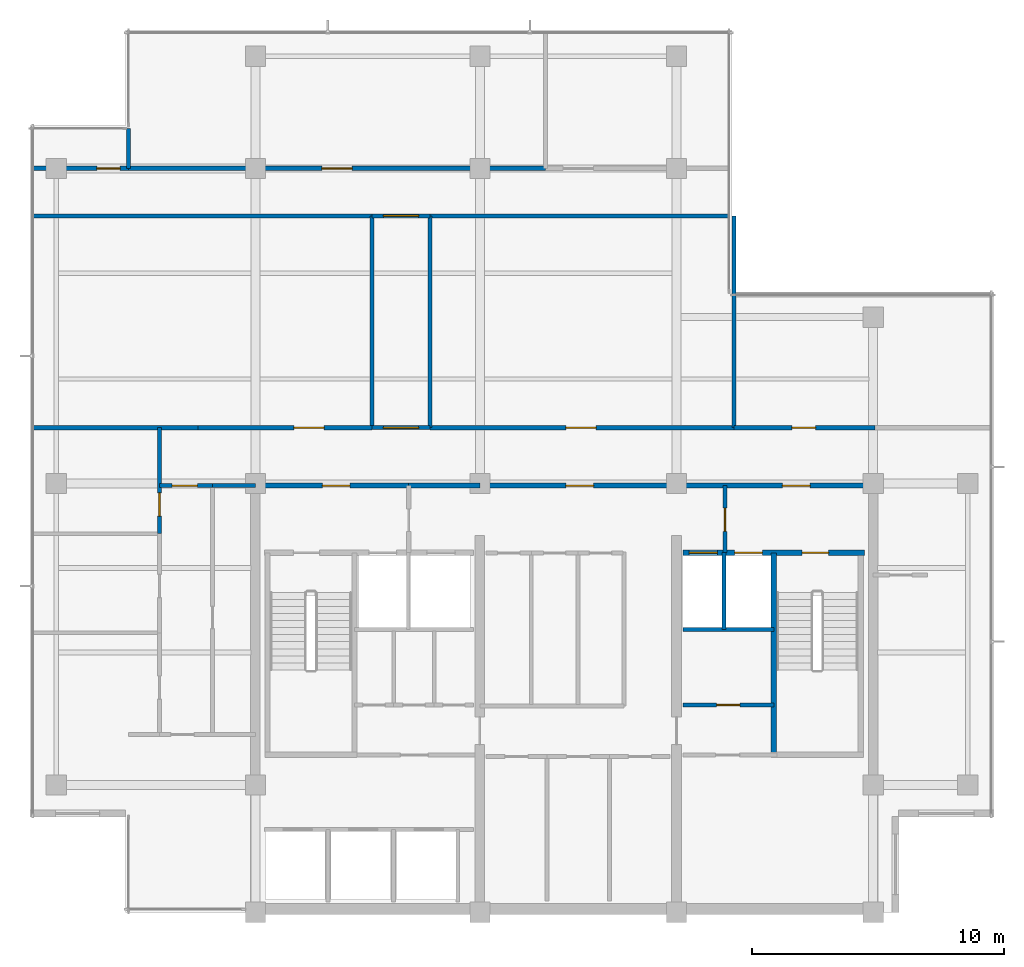
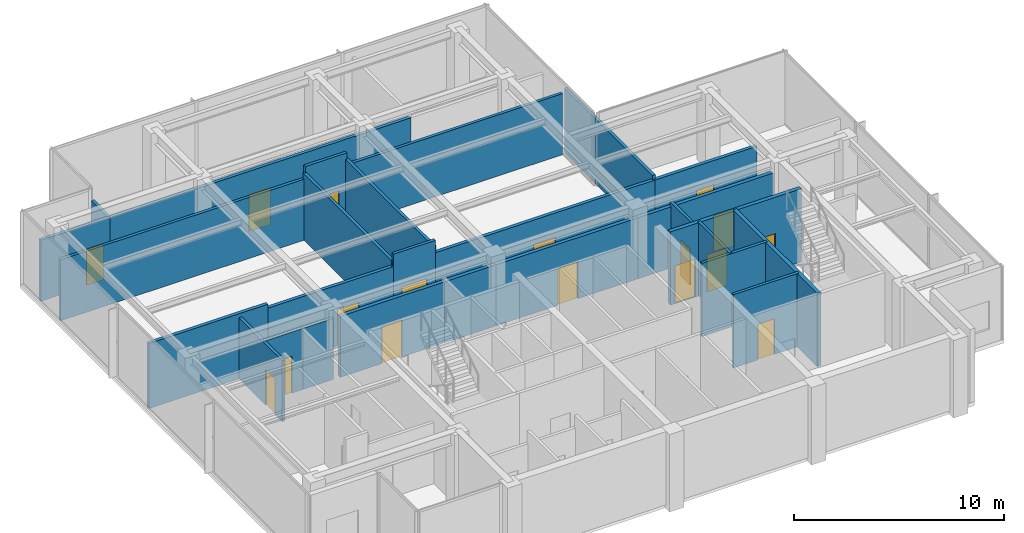
# One storey, part 7 of 11: 27 walls, 17 doors, 17 openings.
"""IFC4 building model written with IfcOpenShell, lengths in metres."""

from ifc_helpers import new_model, si_unit, direction, frame, frame_2d, origin, place, context, subcontext, project, spatial, rectangle, extrude, material, layer, layer_set, type_object, element, fill, save


model = new_model("IFC4")

# Units and contexts
model_context = context("Model", 3, precision=1e-05, world=origin(), true_north=direction((0.0, 1.0)))
body_context = subcontext(model_context, "Body", "Model", "MODEL_VIEW")
ifc_project = project(units=[si_unit("LENGTHUNIT", "METRE"), si_unit("AREAUNIT", "SQUARE_METRE"), si_unit("VOLUMEUNIT", "CUBIC_METRE"), si_unit("PLANEANGLEUNIT", "RADIAN"), si_unit("MASSUNIT", "GRAM", prefix="KILO")], contexts=[model_context])

# Site, building, storey
site_placement = place(None, origin())
site = spatial("IfcSite", under=ifc_project, at=site_placement, CompositionType="ELEMENT")
building_placement = place(site_placement, origin())
building = spatial("IfcBuilding", under=site, at=building_placement, Name="Qalmaran Belvedere Hotel", CompositionType="ELEMENT")
storey_placement = place(building_placement, frame((0.0, 0.0, 285.39990234375)))
storey = spatial("IfcBuildingStorey", under=building, at=storey_placement, Name="L74", CompositionType="ELEMENT", Elevation=285.39990234375)

# Wall
ifc_material_1 = material(Name="Gypsum Stud Partition")
ifc_layer_1 = layer(ifc_material_1, 0.14990234375, Name="Gypsum Stud Partition")
ifc_layer_set_1 = layer_set([ifc_layer_1], Name="Gypsum Stud Partition")
wall_type_1 = type_object("IfcWallType", Name="WL-INT-150-EI120", PredefinedType="PARTITIONING", material=ifc_layer_set_1)
wall_1_placement = place(storey_placement, frame((38.8798828125, 14.719970703125, 0.0), z_axis=(0.0, 0.0, 1.0), x_axis=(0.0, 1.0, 0.0)))
element("IfcWall", 1, at=wall_1_placement, inside=storey, type_object=wall_type_1, Name="L74 Partition WL-FF2M-L74", PredefinedType="PARTITIONING", context=body_context, shape_type="SweptSolid", body=[
    extrude(rectangle(XDim=3.0400390625, YDim=0.14990234375, at=frame_2d((1.52001953125, 0.0))), origin(), (0.0, 0.0, 1.0), 4.260009765625),
])

# Wall, opening, door
ifc_layer_2 = layer(ifc_material_1, 0.159912109375, Name="Gypsum Stud Partition")
ifc_layer_set_2 = layer_set([ifc_layer_2], Name="Gypsum Stud Partition")
wall_type_2 = type_object("IfcWallType", Name="WL-INT-160-EI120", PredefinedType="PARTITIONING", material=ifc_layer_set_2)
wall_2_placement = place(storey_placement, frame((38.919921875, 17.760009765625, 0.0), z_axis=(0.0, 0.0, 1.0), x_axis=(0.0, 1.0, 0.0)))
wall_2 = element("IfcWall", 2, at=wall_2_placement, inside=storey, type_object=wall_type_2, Name="L74 Partition WL-FFSV2-L74", PredefinedType="PARTITIONING", context=body_context, shape_type="SweptSolid", body=[
    extrude(rectangle(XDim=2.659912109375, YDim=0.159912109375, at=frame_2d((1.330078125, 0.0))), origin(), (0.0, 0.0, 1.0), 3.781982421875),
])
opening_1_placement = place(wall_2_placement, frame((1.77001953125, 0.0, 0.0), z_axis=(0.0, 0.0, 1.0), x_axis=(-1.0, 0.0, 0.0)))
opening_1 = element("IfcOpeningElement", 3, at=opening_1_placement, cuts=wall_2, Name="Opening FD60S1", PredefinedType="OPENING", context=body_context, shape_type="SweptSolid", body=[
    extrude(rectangle(XDim=0.919921875, YDim=2.080078125, at=frame_2d((0.4599609375, 1.0400390625))), frame((0.0, 0.08984375, 0.0), z_axis=(0.0, -1.0, 0.0), x_axis=(1.0, 0.0, 0.0)), (0.0, 0.0, 1.0), 0.179931640625),
])
ifc_material_2 = material(Name="Engineered Oak Veneer")
door_type_1 = type_object("IfcDoorType", Name="DR-FD60S-920X2080", OperationType="NOTDEFINED", PredefinedType="DOOR", material=ifc_material_2)
door_1_placement = place(opening_1_placement, origin())
door_1 = element("IfcDoor", 4, at=door_1_placement, inside=storey, type_object=door_type_1, Name="L74 Service Lobby East Door", OperationType="SINGLE_SWING_LEFT", OverallHeight=2.080078125, OverallWidth=0.919921875, PredefinedType="DOOR", context=body_context, shape_type="SweptSolid", body=[
    extrude(rectangle(XDim=0.919921875, YDim=2.080078125, at=frame_2d((0.4599609375, 1.0400390625))), frame((0.0, 0.02490234375, 0.0), z_axis=(0.0, -1.0, 0.0), x_axis=(1.0, 0.0, 0.0)), (0.0, 0.0, 1.0), 0.050048828125),
])
fill(opening_1, door_1)

# Wall
wall_3_placement = place(storey_placement, frame((37.25, 14.719970703125, 0.0), z_axis=(0.0, 0.0, 1.0), x_axis=(1.0, 0.0, 0.0)))
element("IfcWall", 5, at=wall_3_placement, inside=storey, type_object=wall_type_2, Name="L74 Partition WL-FF2S-L74", PredefinedType="PARTITIONING", context=body_context, shape_type="SweptSolid", body=[
    extrude(rectangle(XDim=3.610107421875, YDim=0.159912109375, at=frame_2d((1.80517578125, 0.0))), origin(), (0.0, 0.0, 1.0), 4.260009765625),
])

# Wall, opening, door
ifc_layer_3 = layer(ifc_material_1, 0.159912109375, Name="Gypsum Stud Partition")
ifc_layer_set_3 = layer_set([ifc_layer_3], Name="Gypsum Stud Partition")
wall_type_3 = type_object("IfcWallType", Name="WL-INT-160-EI60", PredefinedType="PARTITIONING", material=ifc_layer_set_3)
wall_4_placement = place(storey_placement, frame((37.25, 11.719970703125, 0.0), z_axis=(0.0, 0.0, 1.0), x_axis=(1.0, 0.0, 0.0)))
wall_4 = element("IfcWall", 6, at=wall_4_placement, inside=storey, type_object=wall_type_3, Name="L74 Partition WL-L74-KEE1", PredefinedType="PARTITIONING", context=body_context, shape_type="SweptSolid", body=[
    extrude(rectangle(XDim=3.610107421875, YDim=0.159912109375, at=frame_2d((1.80517578125, 0.0))), origin(), (0.0, 0.0, 1.0), 4.260009765625),
])
opening_2_placement = place(wall_4_placement, frame((1.344970703125, 0.0, 0.0)))
opening_2 = element("IfcOpeningElement", 7, at=opening_2_placement, cuts=wall_4, Name="Opening FD60S1", PredefinedType="OPENING", context=body_context, shape_type="SweptSolid", body=[
    extrude(rectangle(XDim=0.919921875, YDim=2.080078125, at=frame_2d((0.4599609375, 1.0400390625))), frame((0.0, 0.08984375, 0.0), z_axis=(0.0, -1.0, 0.0), x_axis=(1.0, 0.0, 0.0)), (0.0, 0.0, 1.0), 0.179931640625),
])
door_2_placement = place(opening_2_placement, origin())
door_2 = element("IfcDoor", 8, at=door_2_placement, inside=storey, type_object=door_type_1, Name="L74 Guest Ice and Beverage Pantry Door", OperationType="SINGLE_SWING_RIGHT", OverallHeight=2.080078125, OverallWidth=0.919921875, PredefinedType="DOOR", context=body_context, shape_type="SweptSolid", body=[
    extrude(rectangle(XDim=0.919921875, YDim=2.080078125, at=frame_2d((0.4599609375, 1.0400390625))), frame((0.0, 0.02490234375, 0.0), z_axis=(0.0, -1.0, 0.0), x_axis=(1.0, 0.0, 0.0)), (0.0, 0.0, 1.0), 0.050048828125),
])
fill(opening_2, door_2)

wall_5_placement = place(storey_placement, frame((16.5, 18.52001953125, 0.0), z_axis=(0.0, 0.0, 1.0), x_axis=(0.0, 1.0, 0.0)))
wall_5 = element("IfcWall", 9, at=wall_5_placement, inside=storey, type_object=wall_type_3, Name="L74 Partition WL-L74-WCC3", PredefinedType="PARTITIONING", context=body_context, shape_type="SweptSolid", body=[
    extrude(rectangle(XDim=4.199951171875, YDim=0.159912109375, at=frame_2d((2.10009765625, 0.0))), origin(), (0.0, 0.0, 1.0), 3.550048828125),
])
opening_3_placement = place(wall_5_placement, frame((0.693359375, 0.0, 0.0)))
opening_3 = element("IfcOpeningElement", 10, at=opening_3_placement, cuts=wall_5, Name="Opening FD60S1", PredefinedType="OPENING", context=body_context, shape_type="SweptSolid", body=[
    extrude(rectangle(XDim=0.919921875, YDim=2.080078125, at=frame_2d((0.4599609375, 1.0400390625))), frame((0.0, 0.08984375, 0.0), z_axis=(0.0, -1.0, 0.0), x_axis=(1.0, 0.0, 0.0)), (0.0, 0.0, 1.0), 0.179931640625),
])
door_3_placement = place(opening_3_placement, origin())
door_3 = element("IfcDoor", 11, at=door_3_placement, inside=storey, type_object=door_type_1, Name="L74 Accessible WC Door", OperationType="SINGLE_SWING_RIGHT", OverallHeight=2.080078125, OverallWidth=0.919921875, PredefinedType="DOOR", context=body_context, shape_type="SweptSolid", body=[
    extrude(rectangle(XDim=0.919921875, YDim=2.080078125, at=frame_2d((0.4599609375, 1.0400390625))), frame((0.0, 0.02490234375, 0.0), z_axis=(0.0, -1.0, 0.0), x_axis=(1.0, 0.0, 0.0)), (0.0, 0.0, 1.0), 0.050048828125),
])
fill(opening_3, door_3)

# Wall
wall_6_placement = place(storey_placement, frame((18.60009765625, 20.419921875, 0.0), z_axis=(0.0, 0.0, 1.0), x_axis=(1.0, 0.0, 0.0)))
element("IfcWall", 12, at=wall_6_placement, inside=storey, type_object=wall_type_3, Name="L74 Partition WL-L74-WCCEN", PredefinedType="PARTITIONING", context=body_context, shape_type="SweptSolid", body=[
    extrude(rectangle(XDim=1.699951171875, YDim=0.159912109375, at=frame_2d((0.85009765625, 0.0))), origin(), (0.0, 0.0, 1.0), 3.550048828125),
])

# Wall, opening, door
wall_7_placement = place(storey_placement, frame((16.5, 20.419921875, 0.0), z_axis=(0.0, 0.0, 1.0), x_axis=(1.0, 0.0, 0.0)))
wall_7 = element("IfcWall", 13, at=wall_7_placement, inside=storey, type_object=wall_type_3, Name="L74 Partition WL-L74-XCRW", PredefinedType="PARTITIONING", context=body_context, shape_type="SweptSolid", body=[
    extrude(rectangle(XDim=2.10009765625, YDim=0.159912109375, at=frame_2d((1.050048828125, 0.0))), origin(), (0.0, 0.0, 1.0), 3.550048828125),
])
opening_4_placement = place(wall_7_placement, frame((0.5, 0.0, 0.0)))
opening_4 = element("IfcOpeningElement", 14, at=opening_4_placement, cuts=wall_7, Name="Opening FD90B", PredefinedType="OPENING", context=body_context, shape_type="SweptSolid", body=[
    extrude(rectangle(XDim=1.0, YDim=2.14990234375, at=frame_2d((0.5, 1.074951171875))), frame((0.0, 0.08984375, 0.0), z_axis=(0.0, -1.0, 0.0), x_axis=(1.0, 0.0, 0.0)), (0.0, 0.0, 1.0), 0.179931640625),
])
ifc_material_3 = material(Name="Steel S355JR", Category="steel")
door_type_2 = type_object("IfcDoorType", Name="DR-FD90B-1000X2150", OperationType="NOTDEFINED", PredefinedType="DOOR", material=ifc_material_3)
door_4_placement = place(opening_4_placement, origin())
door_4 = element("IfcDoor", 15, at=door_4_placement, inside=storey, type_object=door_type_2, Name="L74 Restroom Corridor Door", OperationType="SINGLE_SWING_RIGHT", OverallHeight=2.14990234375, OverallWidth=1.0, PredefinedType="DOOR", context=body_context, shape_type="SweptSolid", body=[
    extrude(rectangle(XDim=1.0, YDim=2.14990234375, at=frame_2d((0.5, 1.074951171875))), frame((0.0, 0.02490234375, 0.0), z_axis=(0.0, -1.0, 0.0), x_axis=(1.0, 0.0, 0.0)), (0.0, 0.0, 1.0), 0.050048828125),
])
fill(opening_4, door_4)

# Walls
wall_8_placement = place(storey_placement, frame((15.27001953125, 33.0, 0.0), z_axis=(0.0, 0.0, 1.0), x_axis=(0.0, 1.0, 0.0)))
element("IfcWall", 16, at=wall_8_placement, inside=storey, type_object=wall_type_3, Name="L74 Partition WL-L74-VNWE", PredefinedType="PARTITIONING", context=body_context, shape_type="SweptSolid", body=[
    extrude(rectangle(XDim=1.580078125, YDim=0.159912109375, at=frame_2d((0.7900390625, 0.0))), origin(), (0.0, 0.0, 1.0), 3.550048828125),
])
for number, where, z_axis, x_axis, name in (
    (17, (24.919921875, 22.719970703125, 0.0), (0.0, 0.0, 1.0), (0.0, 1.0, 0.0), "L74 Partition WL-L74-NPW"),
    (18, (27.219970703125, 22.719970703125, 0.0), (0.0, 0.0, 1.0), (0.0, 1.0, 0.0), "L74 Partition WL-L74-NPE"),
):
    element("IfcWall", number, at=place(storey_placement, frame(where, z_axis=z_axis, x_axis=x_axis)), inside=storey, type_object=wall_type_3, Name=name, PredefinedType="PARTITIONING", context=body_context, shape_type="SweptSolid", body=[
        extrude(rectangle(XDim=8.400146484375, YDim=0.159912109375, at=frame_2d((4.2001953125, 0.0))), origin(), (0.0, 0.0, 1.0), 3.88720703125),
    ])

# Wall, opening, door
wall_9_placement = place(storey_placement, frame((24.919921875, 22.719970703125, 0.0), z_axis=(0.0, 0.0, 1.0), x_axis=(1.0, 0.0, 0.0)))
wall_9 = element("IfcWall", 19, at=wall_9_placement, inside=storey, type_object=wall_type_3, Name="L74 Partition WL-L74-XNPS", PredefinedType="PARTITIONING", context=body_context, shape_type="SweptSolid", body=[
    extrude(rectangle(XDim=2.300048828125, YDim=0.159912109375, at=frame_2d((1.14990234375, 0.0))), origin(), (0.0, 0.0, 1.0), 4.260009765625),
])
opening_5_placement = place(wall_9_placement, frame((0.449951171875, 0.0, 0.0)))
opening_5 = element("IfcOpeningElement", 20, at=opening_5_placement, cuts=wall_9, Name="Opening FD90D", PredefinedType="OPENING", context=body_context, shape_type="SweptSolid", body=[
    extrude(rectangle(XDim=1.39990234375, YDim=2.199951171875, at=frame_2d((0.699951171875, 1.10009765625))), frame((0.0, 0.08984375, 0.0), z_axis=(0.0, -1.0, 0.0), x_axis=(1.0, 0.0, 0.0)), (0.0, 0.0, 1.0), 0.179931640625),
])
door_type_3 = type_object("IfcDoorType", Name="DR-FD90D-1400X2200", OperationType="NOTDEFINED", PredefinedType="DOOR", material=ifc_material_3)
door_5_placement = place(opening_5_placement, origin())
door_5 = element("IfcDoor", 21, at=door_5_placement, inside=storey, type_object=door_type_3, Name="L74 Promenade South Door", OperationType="DOUBLE_DOOR_SINGLE_SWING", OverallHeight=2.199951171875, OverallWidth=1.39990234375, PredefinedType="DOOR", context=body_context, shape_type="SweptSolid", body=[
    extrude(rectangle(XDim=1.39990234375, YDim=2.199951171875, at=frame_2d((0.699951171875, 1.10009765625))), frame((0.0, 0.02490234375, 0.0), z_axis=(0.0, -1.0, 0.0), x_axis=(1.0, 0.0, 0.0)), (0.0, 0.0, 1.0), 0.050048828125),
])
fill(opening_5, door_5)

wall_10_placement = place(storey_placement, frame((24.919921875, 31.1201171875, 0.0), z_axis=(0.0, 0.0, 1.0), x_axis=(1.0, 0.0, 0.0)))
wall_10 = element("IfcWall", 22, at=wall_10_placement, inside=storey, type_object=wall_type_3, Name="L74 Partition WL-L74-XNPN", PredefinedType="PARTITIONING", context=body_context, shape_type="SweptSolid", body=[
    extrude(rectangle(XDim=2.300048828125, YDim=0.159912109375, at=frame_2d((1.14990234375, 0.0))), origin(), (0.0, 0.0, 1.0), 4.260009765625),
])
opening_6_placement = place(wall_10_placement, frame((0.449951171875, 0.0, 0.0)))
opening_6 = element("IfcOpeningElement", 23, at=opening_6_placement, cuts=wall_10, Name="Opening FD90D", PredefinedType="OPENING", context=body_context, shape_type="SweptSolid", body=[
    extrude(rectangle(XDim=1.39990234375, YDim=2.199951171875, at=frame_2d((0.699951171875, 1.10009765625))), frame((0.0, 0.08984375, 0.0), z_axis=(0.0, -1.0, 0.0), x_axis=(1.0, 0.0, 0.0)), (0.0, 0.0, 1.0), 0.179931640625),
])
door_6_placement = place(opening_6_placement, origin())
door_6 = element("IfcDoor", 24, at=door_6_placement, inside=storey, type_object=door_type_3, Name="L74 Promenade North Door", OperationType="DOUBLE_DOOR_SINGLE_SWING", OverallHeight=2.199951171875, OverallWidth=1.39990234375, PredefinedType="DOOR", context=body_context, shape_type="SweptSolid", body=[
    extrude(rectangle(XDim=1.39990234375, YDim=2.199951171875, at=frame_2d((0.699951171875, 1.10009765625))), frame((0.0, 0.02490234375, 0.0), z_axis=(0.0, -1.0, 0.0), x_axis=(1.0, 0.0, 0.0)), (0.0, 0.0, 1.0), 0.050048828125),
])
fill(opening_6, door_6)

# Walls
wall_11_placement = place(storey_placement, frame((11.469970703125, 31.1201171875, 0.0), z_axis=(0.0, 0.0, 1.0), x_axis=(1.0, 0.0, 0.0)))
element("IfcWall", 25, at=wall_11_placement, inside=storey, type_object=wall_type_3, Name="L74 Partition WL-L74-NGS1", PredefinedType="PARTITIONING", context=body_context, shape_type="SweptSolid", body=[
    extrude(rectangle(XDim=13.449951171875, YDim=0.159912109375, at=frame_2d((6.72509765625, 0.0))), origin(), (0.0, 0.0, 1.0), 3.550048828125),
])
wall_12_placement = place(storey_placement, frame((27.219970703125, 31.1201171875, 0.0), z_axis=(0.0, 0.0, 1.0), x_axis=(1.0, 0.0, 0.0)))
element("IfcWall", 26, at=wall_12_placement, inside=storey, type_object=wall_type_3, Name="L74 Partition WL-L74-NGS2", PredefinedType="PARTITIONING", context=body_context, shape_type="SweptSolid", body=[
    extrude(rectangle(XDim=11.860107421875, YDim=0.159912109375, at=frame_2d((5.93017578125, 0.0))), origin(), (0.0, 0.0, 1.0), 3.550048828125),
])
wall_13_placement = place(storey_placement, frame((39.280029296875, 22.719970703125, 0.0), z_axis=(0.0, 0.0, 1.0), x_axis=(0.0, 1.0, 0.0)))
element("IfcWall", 27, at=wall_13_placement, inside=storey, type_object=wall_type_3, Name="L74 Partition WL-L74-MCV", PredefinedType="PARTITIONING", context=body_context, shape_type="SweptSolid", body=[
    extrude(rectangle(XDim=8.400146484375, YDim=0.159912109375, at=frame_2d((4.2001953125, 0.0))), origin(), (0.0, 0.0, 1.0), 3.781982421875),
])
ifc_layer_4 = layer(ifc_material_1, 0.179931640625, Name="Gypsum Stud Partition")
ifc_layer_set_4 = layer_set([ifc_layer_4], Name="Gypsum Stud Partition")
wall_type_4 = type_object("IfcWallType", Name="WL-INT-180-EI60", PredefinedType="PARTITIONING", material=ifc_layer_set_4)
wall_14_placement = place(storey_placement, frame((11.469970703125, 22.719970703125, 0.0), z_axis=(0.0, 0.0, 1.0), x_axis=(1.0, 0.0, 0.0)))
element("IfcWall", 28, at=wall_14_placement, inside=storey, type_object=wall_type_4, Name="L74 Partition WL-L74-WCN", PredefinedType="PARTITIONING", context=body_context, shape_type="SweptSolid", body=[
    extrude(rectangle(XDim=6.550048828125, YDim=0.179931640625, at=frame_2d((3.27490234375, 0.0))), origin(), (0.0, 0.0, 1.0), 3.781982421875),
])

# Wall, opening, door
wall_15_placement = place(storey_placement, frame((11.469970703125, 33.0, 0.0), z_axis=(0.0, 0.0, 1.0), x_axis=(1.0, 0.0, 0.0)))
wall_15 = element("IfcWall", 29, at=wall_15_placement, inside=storey, type_object=wall_type_4, Name="L74 Partition WL-L74-VNWS", PredefinedType="PARTITIONING", context=body_context, shape_type="SweptSolid", body=[
    extrude(rectangle(XDim=3.800048828125, YDim=0.179931640625, at=frame_2d((1.89990234375, 0.0))), origin(), (0.0, 0.0, 1.0), 3.550048828125),
])
opening_7_placement = place(wall_15_placement, frame((2.543701171875, 0.0, 0.0)))
opening_7 = element("IfcOpeningElement", 30, at=opening_7_placement, cuts=wall_15, Name="Opening FD60S1", PredefinedType="OPENING", context=body_context, shape_type="SweptSolid", body=[
    extrude(rectangle(XDim=0.919921875, YDim=2.080078125, at=frame_2d((0.4599609375, 1.0400390625))), frame((0.0, 0.10009765625, 0.0), z_axis=(0.0, -1.0, 0.0), x_axis=(1.0, 0.0, 0.0)), (0.0, 0.0, 1.0), 0.199951171875),
])
door_7_placement = place(opening_7_placement, origin())
door_7 = element("IfcDoor", 31, at=door_7_placement, inside=storey, type_object=door_type_1, Name="L74 NW Sky Salon Door", OperationType="SINGLE_SWING_RIGHT", OverallHeight=2.080078125, OverallWidth=0.919921875, PredefinedType="DOOR", context=body_context, shape_type="SweptSolid", body=[
    extrude(rectangle(XDim=0.919921875, YDim=2.080078125, at=frame_2d((0.4599609375, 1.0400390625))), frame((0.0, 0.02490234375, 0.0), z_axis=(0.0, -1.0, 0.0), x_axis=(1.0, 0.0, 0.0)), (0.0, 0.0, 1.0), 0.050048828125),
])
fill(opening_7, door_7)

wall_16_placement = place(storey_placement, frame((18.02001953125, 22.719970703125, 0.0), z_axis=(0.0, 0.0, 1.0), x_axis=(1.0, 0.0, 0.0)))
wall_16 = element("IfcWall", 32, at=wall_16_placement, inside=storey, type_object=wall_type_4, Name="L74 Partition WL-L74-MCS1", PredefinedType="PARTITIONING", context=body_context, shape_type="SweptSolid", body=[
    extrude(rectangle(XDim=6.89990234375, YDim=0.179931640625, at=frame_2d((3.449951171875, 0.0))), origin(), (0.0, 0.0, 1.0), 3.550048828125),
])
opening_8_placement = place(wall_16_placement, frame((3.800048828125, 0.0, 0.0)))
opening_8 = element("IfcOpeningElement", 33, at=opening_8_placement, cuts=wall_16, Name="Opening FD60P", PredefinedType="OPENING", context=body_context, shape_type="SweptSolid", body=[
    extrude(rectangle(XDim=1.199951171875, YDim=2.139892578125, at=frame_2d((0.60009765625, 1.06982421875))), frame((0.0, 0.10009765625, 0.0), z_axis=(0.0, -1.0, 0.0), x_axis=(1.0, 0.0, 0.0)), (0.0, 0.0, 1.0), 0.199951171875),
])
door_type_4 = type_object("IfcDoorType", Name="DR-FD60P-1200X2140", OperationType="NOTDEFINED", PredefinedType="DOOR", material=ifc_material_2)
door_8_placement = place(opening_8_placement, origin())
door_8 = element("IfcDoor", 34, at=door_8_placement, inside=storey, type_object=door_type_4, Name="L74 Sky Cocktail Lounge Bar Door", OperationType="DOUBLE_DOOR_SINGLE_SWING", OverallHeight=2.139892578125, OverallWidth=1.199951171875, PredefinedType="DOOR", context=body_context, shape_type="SweptSolid", body=[
    extrude(rectangle(XDim=1.199951171875, YDim=2.139892578125, at=frame_2d((0.60009765625, 1.06982421875))), frame((0.0, 0.02490234375, 0.0), z_axis=(0.0, -1.0, 0.0), x_axis=(1.0, 0.0, 0.0)), (0.0, 0.0, 1.0), 0.050048828125),
])
fill(opening_8, door_8)

wall_17_placement = place(storey_placement, frame((27.219970703125, 22.719970703125, 0.0), z_axis=(0.0, 0.0, 1.0), x_axis=(1.0, 0.0, 0.0)))
wall_17 = element("IfcWall", 35, at=wall_17_placement, inside=storey, type_object=wall_type_4, Name="L74 Partition WL-L74-MCS2A", PredefinedType="PARTITIONING", context=body_context, shape_type="SweptSolid", body=[
    extrude(rectangle(XDim=12.06005859375, YDim=0.179931640625, at=frame_2d((6.030029296875, 0.0))), origin(), (0.0, 0.0, 1.0), 3.550048828125),
])
opening_9_placement = place(wall_17_placement, frame((5.389892578125, 0.0, 0.0)))
opening_9 = element("IfcOpeningElement", 36, at=opening_9_placement, cuts=wall_17, Name="Opening FD60P", PredefinedType="OPENING", context=body_context, shape_type="SweptSolid", body=[
    extrude(rectangle(XDim=1.199951171875, YDim=2.139892578125, at=frame_2d((0.60009765625, 1.06982421875))), frame((0.0, 0.10009765625, 0.0), z_axis=(0.0, -1.0, 0.0), x_axis=(1.0, 0.0, 0.0)), (0.0, 0.0, 1.0), 0.199951171875),
])
door_9_placement = place(opening_9_placement, origin())
door_9 = element("IfcDoor", 37, at=door_9_placement, inside=storey, type_object=door_type_4, Name="L74 Chef Private Dining Hall Door", OperationType="DOUBLE_DOOR_SINGLE_SWING", OverallHeight=2.139892578125, OverallWidth=1.199951171875, PredefinedType="DOOR", context=body_context, shape_type="SweptSolid", body=[
    extrude(rectangle(XDim=1.199951171875, YDim=2.139892578125, at=frame_2d((0.60009765625, 1.06982421875))), frame((0.0, 0.02490234375, 0.0), z_axis=(0.0, -1.0, 0.0), x_axis=(1.0, 0.0, 0.0)), (0.0, 0.0, 1.0), 0.050048828125),
])
fill(opening_9, door_9)

wall_18_placement = place(storey_placement, frame((39.280029296875, 22.719970703125, 0.0), z_axis=(0.0, 0.0, 1.0), x_axis=(1.0, 0.0, 0.0)))
wall_18 = element("IfcWall", 38, at=wall_18_placement, inside=storey, type_object=wall_type_4, Name="L74 Partition WL-L74-MCS2B", PredefinedType="PARTITIONING", context=body_context, shape_type="SweptSolid", body=[
    extrude(rectangle(XDim=5.599853515625, YDim=0.179931640625, at=frame_2d((2.7998046875, 0.0))), origin(), (0.0, 0.0, 1.0), 3.550048828125),
])
opening_10_placement = place(wall_18_placement, frame((2.2900390625, 0.0, 0.0)))
opening_10 = element("IfcOpeningElement", 39, at=opening_10_placement, cuts=wall_18, Name="Opening FD60", PredefinedType="OPENING", context=body_context, shape_type="SweptSolid", body=[
    extrude(rectangle(XDim=0.949951171875, YDim=2.14990234375, at=frame_2d((0.47509765625, 1.074951171875))), frame((0.0, 0.10009765625, 0.0), z_axis=(0.0, -1.0, 0.0), x_axis=(1.0, 0.0, 0.0)), (0.0, 0.0, 1.0), 0.199951171875),
])
door_type_5 = type_object("IfcDoorType", Name="DR-FD60-950X2150", OperationType="NOTDEFINED", PredefinedType="DOOR", material=ifc_material_2)
door_10_placement = place(opening_10_placement, origin())
door_10 = element("IfcDoor", 40, at=door_10_placement, inside=storey, type_object=door_type_5, Name="L74 East Lounge Door", OperationType="SINGLE_SWING_LEFT", OverallHeight=2.14990234375, OverallWidth=0.949951171875, PredefinedType="DOOR", context=body_context, shape_type="SweptSolid", body=[
    extrude(rectangle(XDim=0.949951171875, YDim=2.14990234375, at=frame_2d((0.47509765625, 1.074951171875))), frame((0.0, 0.02490234375, 0.0), z_axis=(0.0, -1.0, 0.0), x_axis=(1.0, 0.0, 0.0)), (0.0, 0.0, 1.0), 0.050048828125),
])
fill(opening_10, door_10)

wall_19_placement = place(storey_placement, frame((15.27001953125, 33.0, 0.0), z_axis=(0.0, 0.0, 1.0), x_axis=(1.0, 0.0, 0.0)))
wall_19 = element("IfcWall", 41, at=wall_19_placement, inside=storey, type_object=wall_type_4, Name="L74 Partition WL-L74-NF33D1", PredefinedType="PARTITIONING", context=body_context, shape_type="SweptSolid", body=[
    extrude(rectangle(XDim=16.530029296875, YDim=0.179931640625, at=frame_2d((8.26513671875, 0.0))), origin(), (0.0, 0.0, 1.0), 3.550048828125),
])
opening_11_placement = place(wall_19_placement, frame((7.6650390625, 0.0, 0.0)))
opening_11 = element("IfcOpeningElement", 42, at=opening_11_placement, cuts=wall_19, Name="Opening FD60P", PredefinedType="OPENING", context=body_context, shape_type="SweptSolid", body=[
    extrude(rectangle(XDim=1.199951171875, YDim=2.139892578125, at=frame_2d((0.60009765625, 1.06982421875))), frame((0.0, 0.10009765625, 0.0), z_axis=(0.0, -1.0, 0.0), x_axis=(1.0, 0.0, 0.0)), (0.0, 0.0, 1.0), 0.199951171875),
])
door_11_placement = place(opening_11_placement, origin())
door_11 = element("IfcDoor", 43, at=door_11_placement, inside=storey, type_object=door_type_4, Name="L74 Belvedere Sky Restaurant Door", OperationType="DOUBLE_DOOR_SINGLE_SWING", OverallHeight=2.139892578125, OverallWidth=1.199951171875, PredefinedType="DOOR", context=body_context, shape_type="SweptSolid", body=[
    extrude(rectangle(XDim=1.199951171875, YDim=2.139892578125, at=frame_2d((0.60009765625, 1.06982421875))), frame((0.0, 0.02490234375, 0.0), z_axis=(0.0, -1.0, 0.0), x_axis=(1.0, 0.0, 0.0)), (0.0, 0.0, 1.0), 0.050048828125),
])
fill(opening_11, door_11)

ifc_material_4 = material(Name="Concrete C30/37 Blockwork", Category="masonry")
ifc_layer_5 = layer(ifc_material_4, 0.199951171875, Name="Concrete C30/37 Blockwork")
ifc_layer_set_5 = layer_set([ifc_layer_5], Name="Concrete C30/37 Blockwork")
wall_type_5 = type_object("IfcWallType", Name="WL-INT-200-EI120", PredefinedType="PARTITIONING", material=ifc_layer_set_5)
wall_20_placement = place(storey_placement, frame((20.64990234375, 20.419921875, 0.0), z_axis=(0.0, 0.0, 1.0), x_axis=(1.0, 0.0, 0.0)))
wall_20 = element("IfcWall", 44, at=wall_20_placement, inside=storey, type_object=wall_type_5, Name="L74 Partition WL-CN1A-L74", PredefinedType="PARTITIONING", context=body_context, shape_type="SweptSolid", body=[
    extrude(rectangle(XDim=5.72998046875, YDim=0.199951171875, at=frame_2d((2.864990234375, 0.0))), origin(), (0.0, 0.0, 1.0), 3.550048828125),
])
opening_12_placement = place(wall_20_placement, frame((2.300048828125, 0.0, 0.0)))
opening_12 = element("IfcOpeningElement", 45, at=opening_12_placement, cuts=wall_20, Name="Opening FD90", PredefinedType="OPENING", context=body_context, shape_type="SweptSolid", body=[
    extrude(rectangle(XDim=1.10009765625, YDim=2.14990234375, at=frame_2d((0.550048828125, 1.074951171875))), frame((0.0, 0.10986328125, 0.0), z_axis=(0.0, -1.0, 0.0), x_axis=(1.0, 0.0, 0.0)), (0.0, 0.0, 1.0), 0.219970703125),
])
door_type_6 = type_object("IfcDoorType", Name="DR-FD90-1100X2150", OperationType="NOTDEFINED", PredefinedType="DOOR", material=ifc_material_3)
door_12_placement = place(opening_12_placement, origin())
door_12 = element("IfcDoor", 46, at=door_12_placement, inside=storey, type_object=door_type_6, Name="L74 FF1 Lobby Corridor Door", OperationType="SINGLE_SWING_RIGHT", OverallHeight=2.14990234375, OverallWidth=1.10009765625, PredefinedType="DOOR", context=body_context, shape_type="SweptSolid", body=[
    extrude(rectangle(XDim=1.10009765625, YDim=2.14990234375, at=frame_2d((0.550048828125, 1.074951171875))), frame((0.0, 0.02490234375, 0.0), z_axis=(0.0, -1.0, 0.0), x_axis=(1.0, 0.0, 0.0)), (0.0, 0.0, 1.0), 0.050048828125),
])
fill(opening_12, door_12)

# Wall
wall_21_placement = place(storey_placement, frame((26.3798828125, 20.419921875, 0.0), z_axis=(0.0, 0.0, 1.0), x_axis=(1.0, 0.0, 0.0)))
element("IfcWall", 47, at=wall_21_placement, inside=storey, type_object=wall_type_5, Name="L74 Partition WL-CN1B-L74", PredefinedType="PARTITIONING", context=body_context, shape_type="SweptSolid", body=[
    extrude(rectangle(XDim=2.820068359375, YDim=0.199951171875, at=frame_2d((1.41015625, 0.0))), origin(), (0.0, 0.0, 1.0), 3.550048828125),
])

# Wall, opening, door
wall_22_placement = place(storey_placement, frame((29.199951171875, 20.419921875, 0.0), z_axis=(0.0, 0.0, 1.0), x_axis=(1.0, 0.0, 0.0)))
wall_22 = element("IfcWall", 48, at=wall_22_placement, inside=storey, type_object=wall_type_5, Name="L74 Partition WL-CN2-L74", PredefinedType="PARTITIONING", context=body_context, shape_type="SweptSolid", body=[
    extrude(rectangle(XDim=7.800048828125, YDim=0.199951171875, at=frame_2d((3.89990234375, 0.0))), origin(), (0.0, 0.0, 1.0), 3.550048828125),
])
opening_13_placement = place(wall_22_placement, frame((3.4091796875, 0.0, 0.0)))
opening_13 = element("IfcOpeningElement", 49, at=opening_13_placement, cuts=wall_22, Name="Opening FD90", PredefinedType="OPENING", context=body_context, shape_type="SweptSolid", body=[
    extrude(rectangle(XDim=1.10009765625, YDim=2.14990234375, at=frame_2d((0.550048828125, 1.074951171875))), frame((0.0, 0.10986328125, 0.0), z_axis=(0.0, -1.0, 0.0), x_axis=(1.0, 0.0, 0.0)), (0.0, 0.0, 1.0), 0.219970703125),
])
door_13_placement = place(opening_13_placement, origin())
door_13 = element("IfcDoor", 50, at=door_13_placement, inside=storey, type_object=door_type_6, Name="L74 Central Lift Lobby Door", OperationType="SINGLE_SWING_LEFT", OverallHeight=2.14990234375, OverallWidth=1.10009765625, PredefinedType="DOOR", context=body_context, shape_type="SweptSolid", body=[
    extrude(rectangle(XDim=1.10009765625, YDim=2.14990234375, at=frame_2d((0.550048828125, 1.074951171875))), frame((0.0, 0.02490234375, 0.0), z_axis=(0.0, -1.0, 0.0), x_axis=(1.0, 0.0, 0.0)), (0.0, 0.0, 1.0), 0.050048828125),
])
fill(opening_13, door_13)

wall_23_placement = place(storey_placement, frame((37.0, 20.419921875, 0.0), z_axis=(0.0, 0.0, 1.0), x_axis=(1.0, 0.0, 0.0)))
wall_23 = element("IfcWall", 51, at=wall_23_placement, inside=storey, type_object=wall_type_5, Name="L74 Partition WL-CN3-L74", PredefinedType="PARTITIONING", context=body_context, shape_type="SweptSolid", body=[
    extrude(rectangle(XDim=7.449951171875, YDim=0.199951171875, at=frame_2d((3.72509765625, 0.0))), origin(), (0.0, 0.0, 1.0), 3.550048828125),
])
opening_14_placement = place(wall_23_placement, frame((4.199951171875, 0.0, 0.0)))
opening_14 = element("IfcOpeningElement", 52, at=opening_14_placement, cuts=wall_23, Name="Opening FD90", PredefinedType="OPENING", context=body_context, shape_type="SweptSolid", body=[
    extrude(rectangle(XDim=1.10009765625, YDim=2.14990234375, at=frame_2d((0.550048828125, 1.074951171875))), frame((0.0, 0.10986328125, 0.0), z_axis=(0.0, -1.0, 0.0), x_axis=(1.0, 0.0, 0.0)), (0.0, 0.0, 1.0), 0.219970703125),
])
door_14_placement = place(opening_14_placement, origin())
door_14 = element("IfcDoor", 53, at=door_14_placement, inside=storey, type_object=door_type_6, Name="L74 FF2 Lobby Corridor Door", OperationType="SINGLE_SWING_RIGHT", OverallHeight=2.14990234375, OverallWidth=1.10009765625, PredefinedType="DOOR", context=body_context, shape_type="SweptSolid", body=[
    extrude(rectangle(XDim=1.10009765625, YDim=2.14990234375, at=frame_2d((0.550048828125, 1.074951171875))), frame((0.0, 0.02490234375, 0.0), z_axis=(0.0, -1.0, 0.0), x_axis=(1.0, 0.0, 0.0)), (0.0, 0.0, 1.0), 0.050048828125),
])
fill(opening_14, door_14)

# Wall
ifc_material_5 = material(Name="Concrete C50/60", Category="concrete")
ifc_layer_6 = layer(ifc_material_5, 0.2099609375, Name="Concrete C50/60")
ifc_layer_set_6 = layer_set([ifc_layer_6], Name="Concrete C50/60")
wall_type_6 = type_object("IfcWallType", Name="WL-STAIR-210-C50", PredefinedType="SHEAR", material=ifc_layer_set_6)
wall_24_placement = place(storey_placement, frame((40.85498046875, 9.7451171875, 0.0), z_axis=(0.0, 0.0, 1.0), x_axis=(0.0, 1.0, 0.0)))
element("IfcWall", 54, at=wall_24_placement, inside=storey, type_object=wall_type_6, Name="L74 Stair ST-2 West Bearing Wall", PredefinedType="SHEAR", context=body_context, shape_type="SweptSolid", body=[
    extrude(rectangle(XDim=8.009765625, YDim=0.2099609375, at=frame_2d((4.0048828125, 0.0))), origin(), (0.0, 0.0, 1.0), 4.260009765625),
])

# Wall, openings, doors
wall_25_placement = place(storey_placement, frame((37.25, 17.7548828125, 0.0), z_axis=(0.0, 0.0, 1.0), x_axis=(1.0, 0.0, 0.0)))
wall_25 = element("IfcWall", 55, at=wall_25_placement, inside=storey, type_object=wall_type_6, Name="L74 East Lobby and Stair ST-2 North Bearing Wall", PredefinedType="SHEAR", context=body_context, shape_type="SweptSolid", body=[
    extrude(rectangle(XDim=7.199951171875, YDim=0.2099609375, at=frame_2d((3.60009765625, 0.0))), origin(), (0.0, 0.0, 1.0), 4.260009765625),
])
opening_15_placement = place(wall_25_placement, frame((0.25, 0.0, 0.0)))
opening_15 = element("IfcOpeningElement", 56, at=opening_15_placement, cuts=wall_25, Name="Opening LD-SV", PredefinedType="OPENING", context=body_context, shape_type="SweptSolid", body=[
    extrude(rectangle(XDim=1.1201171875, YDim=2.199951171875, at=frame_2d((0.56005859375, 1.10009765625))), frame((0.0, 0.114990234375, 0.0), z_axis=(0.0, -1.0, 0.0), x_axis=(1.0, 0.0, 0.0)), (0.0, 0.0, 1.0), 0.22998046875),
])
opening_16_placement = place(wall_25_placement, frame((2.050048828125, 0.0, 0.0)))
opening_16 = element("IfcOpeningElement", 57, at=opening_16_placement, cuts=wall_25, Name="Opening LD-FF", PredefinedType="OPENING", context=body_context, shape_type="SweptSolid", body=[
    extrude(rectangle(XDim=1.10009765625, YDim=2.179931640625, at=frame_2d((0.550048828125, 1.08984375))), frame((0.0, 0.114990234375, 0.0), z_axis=(0.0, -1.0, 0.0), x_axis=(1.0, 0.0, 0.0)), (0.0, 0.0, 1.0), 0.22998046875),
])
opening_17_placement = place(wall_25_placement, frame((5.780029296875, 0.0, 0.0), z_axis=(0.0, 0.0, 1.0), x_axis=(-1.0, 0.0, 0.0)))
opening_17 = element("IfcOpeningElement", 58, at=opening_17_placement, cuts=wall_25, Name="Opening FD90S2", PredefinedType="OPENING", context=body_context, shape_type="SweptSolid", body=[
    extrude(rectangle(XDim=1.050048828125, YDim=2.14990234375, at=frame_2d((0.52490234375, 1.074951171875))), frame((0.0, 0.114990234375, 0.0), z_axis=(0.0, -1.0, 0.0), x_axis=(1.0, 0.0, 0.0)), (0.0, 0.0, 1.0), 0.22998046875),
])
door_type_7 = type_object("IfcDoorType", Name="DR-FD90S-1050X2150", OperationType="NOTDEFINED", PredefinedType="DOOR", material=ifc_material_3)
door_15_placement = place(opening_17_placement, origin())
door_15 = element("IfcDoor", 59, at=door_15_placement, inside=storey, type_object=door_type_7, Name="L74 Stair ST-2 Door", OperationType="SINGLE_SWING_LEFT", OverallHeight=2.14990234375, OverallWidth=1.050048828125, PredefinedType="DOOR", context=body_context, shape_type="SweptSolid", body=[
    extrude(rectangle(XDim=1.050048828125, YDim=2.14990234375, at=frame_2d((0.52490234375, 1.074951171875))), frame((0.0, 0.02490234375, 0.0), z_axis=(0.0, -1.0, 0.0), x_axis=(1.0, 0.0, 0.0)), (0.0, 0.0, 1.0), 0.050048828125),
])
fill(opening_17, door_15)
ifc_material_6 = material(Name="Stainless Steel 1.4401", Category="steel")
door_type_8 = type_object("IfcDoorType", Name="DR-LIFT-FF-1100X2180", OperationType="DOUBLE_DOOR_SLIDING", PredefinedType="DOOR", material=ifc_material_6)
door_16_placement = place(opening_16_placement, origin())
door_16 = element("IfcDoor", 60, at=door_16_placement, inside=storey, type_object=door_type_8, Name="L74 FF2 Lift Landing Door", OperationType="DOUBLE_DOOR_SLIDING", OverallHeight=2.179931640625, OverallWidth=1.10009765625, PredefinedType="DOOR", context=body_context, shape_type="SweptSolid", body=[
    extrude(rectangle(XDim=1.10009765625, YDim=2.179931640625, at=frame_2d((0.550048828125, 1.08984375))), frame((0.0, 0.02490234375, 0.0), z_axis=(0.0, -1.0, 0.0), x_axis=(1.0, 0.0, 0.0)), (0.0, 0.0, 1.0), 0.050048828125),
])
fill(opening_16, door_16)
door_type_9 = type_object("IfcDoorType", Name="DR-LIFT-SV-1120X2200", OperationType="DOUBLE_DOOR_SLIDING", PredefinedType="DOOR", material=ifc_material_6)
door_17_placement = place(opening_15_placement, origin())
door_17 = element("IfcDoor", 61, at=door_17_placement, inside=storey, type_object=door_type_9, Name="L74 SV2 Lift Landing Door", OperationType="DOUBLE_DOOR_SLIDING", OverallHeight=2.199951171875, OverallWidth=1.1201171875, PredefinedType="DOOR", context=body_context, shape_type="SweptSolid", body=[
    extrude(rectangle(XDim=1.1201171875, YDim=2.199951171875, at=frame_2d((0.56005859375, 1.10009765625))), frame((0.0, 0.02490234375, 0.0), z_axis=(0.0, -1.0, 0.0), x_axis=(1.0, 0.0, 0.0)), (0.0, 0.0, 1.0), 0.050048828125),
])
fill(opening_15, door_17)

save(model, "model.ifc")
